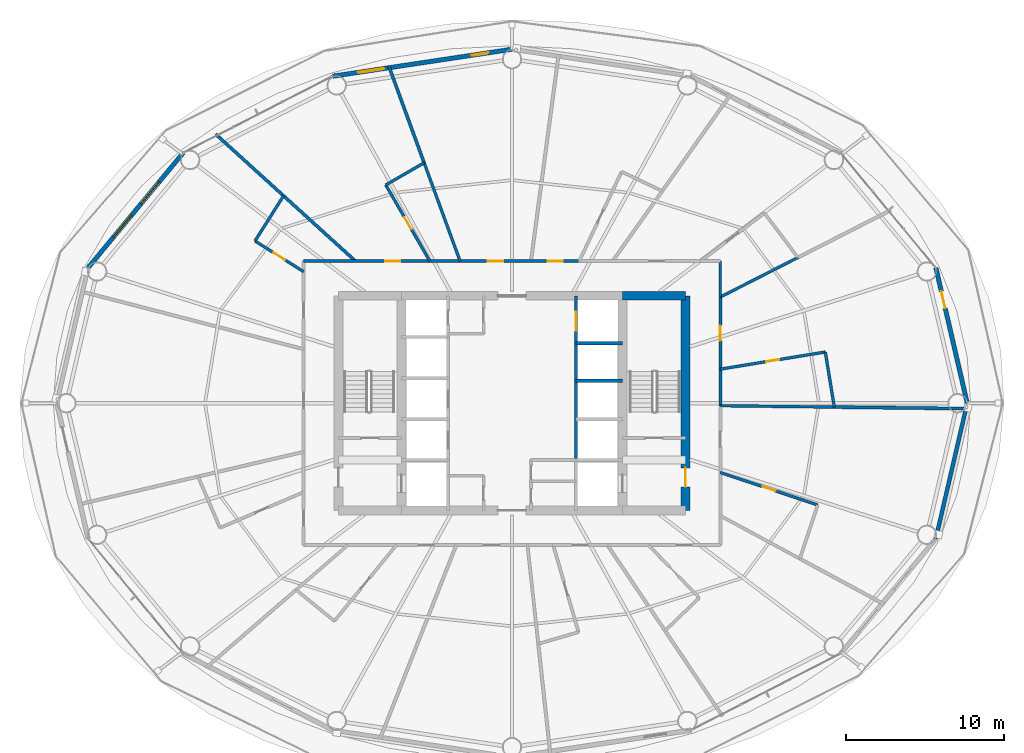
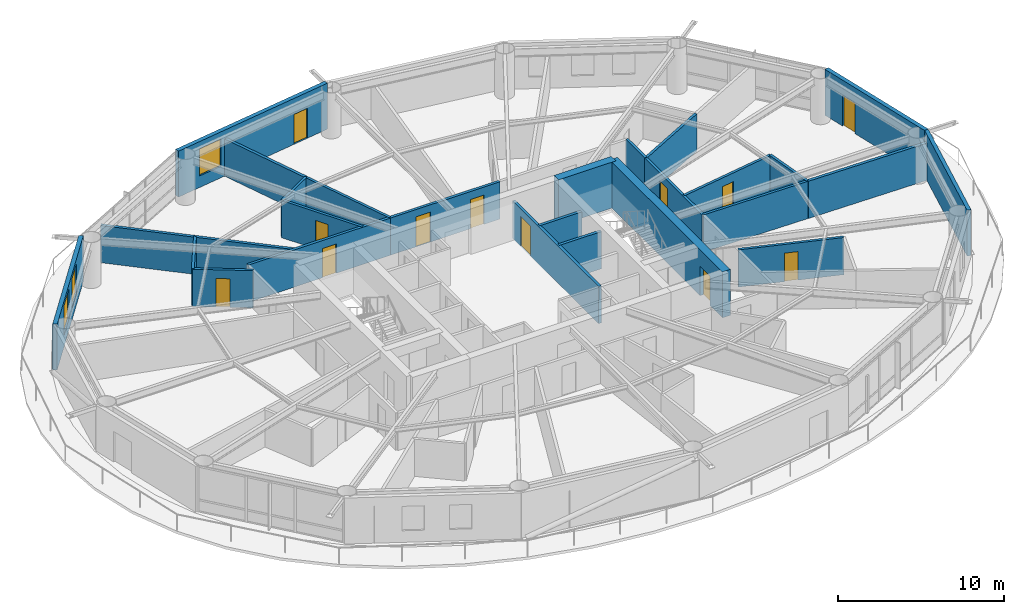
# One storey, part 20 of 24: 26 walls, 12 doors, 3 windows, 15 openings.
"""IFC4 building model written with IfcOpenShell, lengths in metres."""

from ifc_helpers import new_model, si_unit, direction, frame, frame_2d, origin, place, context, subcontext, project, spatial, rectangle, extrude, material, layer, layer_set, type_object, element, fill, save


model = new_model("IFC4")

# Units and contexts
model_context = context("Model", 3, precision=1e-05, world=origin(), true_north=direction((0.0, 1.0)))
body_context = subcontext(model_context, "Body", "Model", "MODEL_VIEW")
ifc_project = project(units=[si_unit("LENGTHUNIT", "METRE"), si_unit("AREAUNIT", "SQUARE_METRE"), si_unit("VOLUMEUNIT", "CUBIC_METRE"), si_unit("PLANEANGLEUNIT", "RADIAN"), si_unit("MASSUNIT", "GRAM", prefix="KILO")], contexts=[model_context])

# Site, building, storey
site_placement = place(None, origin())
site = spatial("IfcSite", under=ifc_project, at=site_placement, CompositionType="ELEMENT")
building_placement = place(site_placement, origin())
building = spatial("IfcBuilding", under=site, at=building_placement, Name="Sarneth Arch Tower", CompositionType="ELEMENT")
storey_placement = place(building_placement, frame((0.0, 0.0, 105.60009765625)))
storey = spatial("IfcBuildingStorey", under=building, at=storey_placement, Name="L26", CompositionType="ELEMENT", Elevation=105.60009765625)

# Wall
ifc_material_1 = material(Name="Concrete C60/75", Category="concrete")
ifc_layer_1 = layer(ifc_material_1, 0.550048828125)
ifc_layer_set_1 = layer_set([ifc_layer_1], Name="Concrete C60/75")
wall_type_1 = type_object("IfcWallType", Name="WALL-CORE-550", PredefinedType="SHEAR", material=ifc_layer_set_1)
wall_1_placement = place(storey_placement, frame((55.0, 48.800048828125, 0.0), z_axis=(0.0, 0.0, 1.0), x_axis=(1.0, 0.0, 0.0)))
element("IfcWall", 1, at=wall_1_placement, inside=storey, type_object=wall_type_1, Name="L26 Core shear wall N-E", PredefinedType="SHEAR", context=body_context, shape_type="SweptSolid", body=[
    extrude(rectangle(XDim=4.0, YDim=0.550048828125, at=frame_2d((2.0, 0.0))), origin(), (0.0, 0.0, 1.0), 3.3798828125),
])

# Wall, opening, door
wall_2_placement = place(storey_placement, frame((59.0, 35.199951171875, 0.0), z_axis=(0.0, 0.0, 1.0), x_axis=(0.0, 1.0, 0.0)))
wall_2 = element("IfcWall", 2, at=wall_2_placement, inside=storey, type_object=wall_type_1, Name="L26 Core shear wall E", PredefinedType="SHEAR", context=body_context, shape_type="SweptSolid", body=[
    extrude(rectangle(XDim=13.60009765625, YDim=0.550048828125, at=frame_2d((6.800048828125, 0.0))), origin(), (0.0, 0.0, 1.0), 3.3798828125),
])
opening_1_placement = place(wall_2_placement, frame((1.5, 0.0, 0.0)))
opening_1 = element("IfcOpeningElement", 3, at=opening_1_placement, cuts=wall_2, Name="Opening FD-02", PredefinedType="OPENING", context=body_context, shape_type="SweptSolid", body=[
    extrude(rectangle(XDim=1.199951171875, YDim=2.14990234375, at=frame_2d((0.60009765625, 1.074951171875))), frame((0.0, 0.284912109375, 0.0), z_axis=(0.0, -1.0, 0.0), x_axis=(1.0, 0.0, 0.0)), (0.0, 0.0, 1.0), 0.570068359375),
])
ifc_material_2 = material(Name="Galvanised Steel S275 fire door set", Category="steel")
door_type_1 = type_object("IfcDoorType", Name="DR-FD90-1200", OperationType="SINGLE_SWING_LEFT", PredefinedType="DOOR", material=ifc_material_2)
door_1_placement = place(opening_1_placement, origin())
door_1 = element("IfcDoor", 4, at=door_1_placement, inside=storey, type_object=door_type_1, Name="L26 Firefighting lobby 2 exit door", OperationType="SINGLE_SWING_RIGHT", OverallHeight=2.14990234375, OverallWidth=1.199951171875, PredefinedType="DOOR", context=body_context, shape_type="SweptSolid", body=[
    extrude(rectangle(XDim=1.199951171875, YDim=2.14990234375, at=frame_2d((0.60009765625, 1.074951171875))), frame((0.0, 0.02490234375, 0.0), z_axis=(0.0, -1.0, 0.0), x_axis=(1.0, 0.0, 0.0)), (0.0, 0.0, 1.0), 0.050048828125),
])
fill(opening_1, door_1)

ifc_material_3 = material(Name="Double steel-stud corridor fire wall", Category="steel")
ifc_layer_2 = layer(ifc_material_3, 0.18994140625)
ifc_layer_set_2 = layer_set([ifc_layer_2], Name="Double steel-stud corridor fire wall")
wall_type_2 = type_object("IfcWallType", Name="WALL-CORR-190", PredefinedType="PARTITIONING", material=ifc_layer_set_2)
wall_3_placement = place(storey_placement, frame((34.800048828125, 51.0, 0.0), z_axis=(0.0, 0.0, 1.0), x_axis=(1.0, 0.0, 0.0)))
wall_3 = element("IfcWall", 5, at=wall_3_placement, inside=storey, type_object=wall_type_2, Name="L26 Interior partition W-L26-TP-007", PredefinedType="PARTITIONING", context=body_context, shape_type="SweptSolid", body=[
    extrude(rectangle(XDim=9.944580078125, YDim=0.18994140625, at=frame_2d((4.97216796875, 0.0))), origin(), (0.0, 0.0, 1.0), 2.739990234375),
])
opening_2_placement = place(wall_3_placement, frame((5.159423828125, 0.0, 0.0)))
opening_2 = element("IfcOpeningElement", 6, at=opening_2_placement, cuts=wall_3, Name="Opening FD-09", PredefinedType="OPENING", context=body_context, shape_type="SweptSolid", body=[
    extrude(rectangle(XDim=0.949951171875, YDim=2.14990234375, at=frame_2d((0.47509765625, 1.074951171875))), frame((0.0, 0.10498046875, 0.0), z_axis=(0.0, -1.0, 0.0), x_axis=(1.0, 0.0, 0.0)), (0.0, 0.0, 1.0), 0.2099609375),
])
ifc_material_4 = material(Name="Hardwood timber hotel entrance fire door", Category="wood")
door_type_2 = type_object("IfcDoorType", Name="DR-FD60-950", OperationType="SINGLE_SWING_RIGHT", PredefinedType="DOOR", material=ifc_material_4)
door_2_placement = place(opening_2_placement, origin())
door_2 = element("IfcDoor", 7, at=door_2_placement, inside=storey, type_object=door_type_2, Name="L26 Interior door DR-L26-KEY-04", OperationType="SINGLE_SWING_LEFT", OverallHeight=2.14990234375, OverallWidth=0.949951171875, PredefinedType="DOOR", context=body_context, shape_type="SweptSolid", body=[
    extrude(rectangle(XDim=0.949951171875, YDim=2.14990234375, at=frame_2d((0.47509765625, 1.074951171875))), frame((0.0, 0.02490234375, 0.0), z_axis=(0.0, -1.0, 0.0), x_axis=(1.0, 0.0, 0.0)), (0.0, 0.0, 1.0), 0.050048828125),
])
fill(opening_2, door_2)

wall_4_placement = place(storey_placement, frame((61.199951171875, 41.80859375, 0.0), z_axis=(0.0, 0.0, 1.0), x_axis=(0.0, 1.0, 0.0)))
wall_4 = element("IfcWall", 8, at=wall_4_placement, inside=storey, type_object=wall_type_2, Name="L26 Interior partition W-L26-TP-026", PredefinedType="PARTITIONING", context=body_context, shape_type="SweptSolid", body=[
    extrude(rectangle(XDim=6.9169921875, YDim=0.18994140625, at=frame_2d((3.45849609375, 0.0))), origin(), (0.0, 0.0, 1.0), 2.739990234375),
])
opening_3_placement = place(wall_4_placement, frame((4.157470703125, 0.0, 0.0)))
opening_3 = element("IfcOpeningElement", 9, at=opening_3_placement, cuts=wall_4, Name="Opening FD-09", PredefinedType="OPENING", context=body_context, shape_type="SweptSolid", body=[
    extrude(rectangle(XDim=0.949951171875, YDim=2.14990234375, at=frame_2d((0.47509765625, 1.074951171875))), frame((0.0, 0.10498046875, 0.0), z_axis=(0.0, -1.0, 0.0), x_axis=(1.0, 0.0, 0.0)), (0.0, 0.0, 1.0), 0.2099609375),
])
door_3_placement = place(opening_3_placement, origin())
door_3 = element("IfcDoor", 10, at=door_3_placement, inside=storey, type_object=door_type_2, Name="L26 Interior door DR-L26-KEY-13", OperationType="SINGLE_SWING_RIGHT", OverallHeight=2.14990234375, OverallWidth=0.949951171875, PredefinedType="DOOR", context=body_context, shape_type="SweptSolid", body=[
    extrude(rectangle(XDim=0.949951171875, YDim=2.14990234375, at=frame_2d((0.47509765625, 1.074951171875))), frame((0.0, 0.02490234375, 0.0), z_axis=(0.0, -1.0, 0.0), x_axis=(1.0, 0.0, 0.0)), (0.0, 0.0, 1.0), 0.050048828125),
])
fill(opening_3, door_3)

# Wall, openings, doors
wall_5_placement = place(storey_placement, frame((44.676513671875, 51.0, 0.0), z_axis=(0.0, 0.0, 1.0), x_axis=(1.0, 0.0, 0.0)))
wall_5 = element("IfcWall", 11, at=wall_5_placement, inside=storey, type_object=wall_type_2, Name="L26 Interior partition W-L26-TP-006", PredefinedType="PARTITIONING", context=body_context, shape_type="SweptSolid", body=[
    extrude(rectangle(XDim=7.62060546875, YDim=0.18994140625, at=frame_2d((3.810302734375, 0.0))), origin(), (0.0, 0.0, 1.0), 2.739990234375),
])
opening_4_placement = place(wall_5_placement, frame((1.779541015625, 0.0, 0.0)))
opening_4 = element("IfcOpeningElement", 12, at=opening_4_placement, cuts=wall_5, Name="Opening FD-08", PredefinedType="OPENING", context=body_context, shape_type="SweptSolid", body=[
    extrude(rectangle(XDim=1.0, YDim=2.199951171875, at=frame_2d((0.5, 1.10009765625))), frame((0.0, 0.10498046875, 0.0), z_axis=(0.0, -1.0, 0.0), x_axis=(1.0, 0.0, 0.0)), (0.0, 0.0, 1.0), 0.2099609375),
])
opening_5_placement = place(wall_5_placement, frame((5.58251953125, 0.0, 0.0)))
opening_5 = element("IfcOpeningElement", 13, at=opening_5_placement, cuts=wall_5, Name="Opening FD-09", PredefinedType="OPENING", context=body_context, shape_type="SweptSolid", body=[
    extrude(rectangle(XDim=0.949951171875, YDim=2.14990234375, at=frame_2d((0.47509765625, 1.074951171875))), frame((0.0, 0.10498046875, 0.0), z_axis=(0.0, -1.0, 0.0), x_axis=(1.0, 0.0, 0.0)), (0.0, 0.0, 1.0), 0.2099609375),
])
ifc_material_5 = material(Name="Hardwood timber acoustic fire door", Category="wood")
door_type_3 = type_object("IfcDoorType", Name="DR-FD60-1000", OperationType="SINGLE_SWING_LEFT", PredefinedType="DOOR", material=ifc_material_5)
door_4_placement = place(opening_4_placement, origin())
door_4 = element("IfcDoor", 14, at=door_4_placement, inside=storey, type_object=door_type_3, Name="L26 Interior door DR-L26-AMN-03", OperationType="SINGLE_SWING_RIGHT", OverallHeight=2.199951171875, OverallWidth=1.0, PredefinedType="DOOR", context=body_context, shape_type="SweptSolid", body=[
    extrude(rectangle(XDim=1.0, YDim=2.199951171875, at=frame_2d((0.5, 1.10009765625))), frame((0.0, 0.02490234375, 0.0), z_axis=(0.0, -1.0, 0.0), x_axis=(1.0, 0.0, 0.0)), (0.0, 0.0, 1.0), 0.050048828125),
])
fill(opening_4, door_4)
door_5_placement = place(opening_5_placement, origin())
door_5 = element("IfcDoor", 15, at=door_5_placement, inside=storey, type_object=door_type_2, Name="L26 Interior door DR-L26-KEY-02", OperationType="SINGLE_SWING_RIGHT", OverallHeight=2.14990234375, OverallWidth=0.949951171875, PredefinedType="DOOR", context=body_context, shape_type="SweptSolid", body=[
    extrude(rectangle(XDim=0.949951171875, YDim=2.14990234375, at=frame_2d((0.47509765625, 1.074951171875))), frame((0.0, 0.02490234375, 0.0), z_axis=(0.0, -1.0, 0.0), x_axis=(1.0, 0.0, 0.0)), (0.0, 0.0, 1.0), 0.050048828125),
])
fill(opening_5, door_5)

# Wall
ifc_material_6 = material(Name="Extruded terracotta rainscreen on Concrete C40/50 backing", Category="masonry")
ifc_layer_3 = layer(ifc_material_6, 0.25)
ifc_layer_set_3 = layer_set([ifc_layer_3], Name="Extruded terracotta rainscreen on Concrete C40/50 backing")
wall_type_3 = type_object("IfcWallType", Name="WALL-EXT-SPAND-250", PredefinedType="SOLIDWALL", material=ifc_layer_set_3)
wall_6_placement = place(storey_placement, frame((74.861328125, 33.41650390625, 0.0), z_axis=(0.0, 0.0, 1.0), x_axis=(0.22558597182, 0.974223264616, 0.0)))
element("IfcWall", 16, at=wall_6_placement, inside=storey, type_object=wall_type_3, Name="L26 Terracotta perimeter wall 16", PredefinedType="SOLIDWALL", context=body_context, shape_type="SweptSolid", body=[
    extrude(rectangle(XDim=8.810546875, YDim=0.25, at=frame_2d((4.4052734375, 0.0))), origin(), (0.0, 0.0, 1.0), 3.3798828125),
])

# Wall, opening, door
ifc_material_7 = material(Name="Extruded terracotta rainscreen on Concrete C40/50 backing", Category="masonry")
ifc_layer_4 = layer(ifc_material_7, 0.280029296875)
ifc_layer_set_4 = layer_set([ifc_layer_4], Name="Extruded terracotta rainscreen on Concrete C40/50 backing")
wall_type_4 = type_object("IfcWallType", Name="WALL-EXT-TERRA-280", PredefinedType="SOLIDWALL", material=ifc_layer_set_4)
wall_7_placement = place(storey_placement, frame((76.848876953125, 42.0, 0.0), z_axis=(0.0, 0.0, 1.0), x_axis=(-0.22558597182, 0.974223264616, 0.0)))
wall_7 = element("IfcWall", 17, at=wall_7_placement, inside=storey, type_object=wall_type_4, Name="L26 Terracotta perimeter wall 01", PredefinedType="SOLIDWALL", context=body_context, shape_type="SweptSolid", body=[
    extrude(rectangle(XDim=8.810546875, YDim=0.280029296875, at=frame_2d((4.4052734375, 0.0))), origin(), (0.0, 0.0, 1.0), 3.3798828125),
])
opening_6_placement = place(wall_7_placement, frame((6.174560546875, 0.0, 0.0)))
opening_6 = element("IfcOpeningElement", 18, at=opening_6_placement, cuts=wall_7, Name="Opening BD-3", PredefinedType="OPENING", context=body_context, shape_type="SweptSolid", body=[
    extrude(rectangle(XDim=1.10009765625, YDim=2.25, at=frame_2d((0.550048828125, 1.125))), frame((0.0, 0.14990234375, 0.0), z_axis=(0.0, -1.0, 0.0), x_axis=(1.0, 0.0, 0.0)), (0.0, 0.0, 1.0), 0.300048828125),
])
ifc_material_8 = material(Name="Thermally broken Aluminium 6063-T6 and laminated safety glass", Category="aluminium")
door_type_4 = type_object("IfcDoorType", Name="DR-BALC-GLZ-1100", OperationType="SINGLE_SWING_LEFT", PredefinedType="DOOR", material=ifc_material_8)
door_6_placement = place(opening_6_placement, origin())
door_6 = element("IfcDoor", 19, at=door_6_placement, inside=storey, type_object=door_type_4, Name="L26 Balcony glazed door 01", OperationType="SINGLE_SWING_LEFT", OverallHeight=2.25, OverallWidth=1.10009765625, PredefinedType="DOOR", context=body_context, shape_type="SweptSolid", body=[
    extrude(rectangle(XDim=1.10009765625, YDim=2.25, at=frame_2d((0.550048828125, 1.125))), frame((0.0, 0.02490234375, 0.0), z_axis=(0.0, -1.0, 0.0), x_axis=(1.0, 0.0, 0.0)), (0.0, 0.0, 1.0), 0.050048828125),
])
fill(opening_6, door_6)

# Wall, openings, door, window
wall_8_placement = place(storey_placement, frame((48.0, 64.429931640625, 0.0), z_axis=(0.0, 0.0, 1.0), x_axis=(-0.988877774656, -0.148730450117, 0.0)))
wall_8 = element("IfcWall", 20, at=wall_8_placement, inside=storey, type_object=wall_type_4, Name="L26 Terracotta perimeter wall 05", PredefinedType="SOLIDWALL", context=body_context, shape_type="SweptSolid", body=[
    extrude(rectangle(XDim=11.47900390625, YDim=0.280029296875, at=frame_2d((5.739501953125, 0.0))), origin(), (0.0, 0.0, 1.0), 3.3798828125),
])
opening_7_placement = place(wall_8_placement, frame((1.523681640625, 0.0, 0.0)))
opening_7 = element("IfcOpeningElement", 21, at=opening_7_placement, cuts=wall_8, Name="Opening BD-4", PredefinedType="OPENING", context=body_context, shape_type="SweptSolid", body=[
    extrude(rectangle(XDim=1.050048828125, YDim=2.199951171875, at=frame_2d((0.52490234375, 1.10009765625))), frame((0.0, 0.14990234375, 0.0), z_axis=(0.0, -1.0, 0.0), x_axis=(1.0, 0.0, 0.0)), (0.0, 0.0, 1.0), 0.300048828125),
])
opening_8_placement = place(wall_8_placement, frame((8.20458984375, 0.0, 0.85009765625)))
opening_8 = element("IfcOpeningElement", 22, at=opening_8_placement, cuts=wall_8, Name="Opening W-05", PredefinedType="OPENING", context=body_context, shape_type="SweptSolid", body=[
    extrude(rectangle(XDim=1.64990234375, YDim=2.0, at=frame_2d((0.824951171875, 1.0))), frame((0.0, 0.14990234375, 0.0), z_axis=(0.0, -1.0, 0.0), x_axis=(1.0, 0.0, 0.0)), (0.0, 0.0, 1.0), 0.300048828125),
])
ifc_material_9 = material(Name="Thermally broken Aluminium 6063-T6 and laminated safety glass", Category="aluminium")
door_type_5 = type_object("IfcDoorType", Name="DR-BALC-GLZ-1050", OperationType="SINGLE_SWING_RIGHT", PredefinedType="DOOR", material=ifc_material_9)
door_7_placement = place(opening_7_placement, origin())
door_7 = element("IfcDoor", 23, at=door_7_placement, inside=storey, type_object=door_type_5, Name="L26 Balcony glazed door 05", OperationType="SINGLE_SWING_RIGHT", OverallHeight=2.199951171875, OverallWidth=1.050048828125, PredefinedType="DOOR", context=body_context, shape_type="SweptSolid", body=[
    extrude(rectangle(XDim=1.050048828125, YDim=2.199951171875, at=frame_2d((0.52490234375, 1.10009765625))), frame((0.0, 0.02490234375, 0.0), z_axis=(0.0, -1.0, 0.0), x_axis=(1.0, 0.0, 0.0)), (0.0, 0.0, 1.0), 0.050048828125),
])
fill(opening_7, door_7)
ifc_material_10 = material(Name="Thermally broken Aluminium 6063-T6 and low-e laminated IGU", Category="aluminium")
window_type_1 = type_object("IfcWindowType", Name="WIN-TWR-1650x2000", PartitioningType="DOUBLE_PANEL_VERTICAL", PredefinedType="WINDOW", material=ifc_material_10)
window_1_placement = place(opening_8_placement, origin())
window_1 = element("IfcWindow", 24, at=window_1_placement, inside=storey, type_object=window_type_1, Name="L26 Exterior window 05A", OverallHeight=2.0, OverallWidth=1.64990234375, PartitioningType="SINGLE_PANEL", PredefinedType="WINDOW", context=body_context, shape_type="SweptSolid", body=[
    extrude(rectangle(XDim=1.64990234375, YDim=2.0, at=frame_2d((0.824951171875, 1.0))), frame((0.0, 0.030029296875, 0.0), z_axis=(0.0, -1.0, 0.0), x_axis=(1.0, 0.0, 0.0)), (0.0, 0.0, 1.0), 0.06005859375),
])
fill(opening_8, window_1)

# Wall, openings, windows
wall_9_placement = place(storey_placement, frame((27.159912109375, 57.8603515625, 0.0), z_axis=(0.0, 0.0, 1.0), x_axis=(-0.637505817448, -0.770445541696, 0.0)))
wall_9 = element("IfcWall", 25, at=wall_9_placement, inside=storey, type_object=wall_type_4, Name="L26 Terracotta perimeter wall 07", PredefinedType="SOLIDWALL", context=body_context, shape_type="SweptSolid", body=[
    extrude(rectangle(XDim=9.445068359375, YDim=0.280029296875, at=frame_2d((4.72265625, 0.0))), origin(), (0.0, 0.0, 1.0), 3.3798828125),
])
opening_9_placement = place(wall_9_placement, frame((2.396484375, 0.0, 0.85009765625)))
opening_9 = element("IfcOpeningElement", 26, at=opening_9_placement, cuts=wall_9, Name="Opening W-04", PredefinedType="OPENING", context=body_context, shape_type="SweptSolid", body=[
    extrude(rectangle(XDim=1.800048828125, YDim=2.199951171875, at=frame_2d((0.89990234375, 1.10009765625))), frame((0.0, 0.14990234375, 0.0), z_axis=(0.0, -1.0, 0.0), x_axis=(1.0, 0.0, 0.0)), (0.0, 0.0, 1.0), 0.300048828125),
])
opening_10_placement = place(wall_9_placement, frame((5.1318359375, 0.0, 0.85009765625)))
opening_10 = element("IfcOpeningElement", 27, at=opening_10_placement, cuts=wall_9, Name="Opening W-04", PredefinedType="OPENING", context=body_context, shape_type="SweptSolid", body=[
    extrude(rectangle(XDim=1.800048828125, YDim=2.199951171875, at=frame_2d((0.89990234375, 1.10009765625))), frame((0.0, 0.14990234375, 0.0), z_axis=(0.0, -1.0, 0.0), x_axis=(1.0, 0.0, 0.0)), (0.0, 0.0, 1.0), 0.300048828125),
])
ifc_material_11 = material(Name="Thermally broken Aluminium 6063-T6 and low-e laminated IGU", Category="aluminium")
window_type_2 = type_object("IfcWindowType", Name="WIN-TWR-1800x2200", PartitioningType="DOUBLE_PANEL_VERTICAL", PredefinedType="WINDOW", material=ifc_material_11)
window_2_placement = place(opening_9_placement, origin())
window_2 = element("IfcWindow", 28, at=window_2_placement, inside=storey, type_object=window_type_2, Name="L26 Exterior window 07A", OverallHeight=2.199951171875, OverallWidth=1.800048828125, PartitioningType="SINGLE_PANEL", PredefinedType="WINDOW", context=body_context, shape_type="SweptSolid", body=[
    extrude(rectangle(XDim=1.800048828125, YDim=2.199951171875, at=frame_2d((0.89990234375, 1.10009765625))), frame((0.0, 0.030029296875, 0.0), z_axis=(0.0, -1.0, 0.0), x_axis=(1.0, 0.0, 0.0)), (0.0, 0.0, 1.0), 0.06005859375),
])
fill(opening_9, window_2)
window_3_placement = place(opening_10_placement, origin())
window_3 = element("IfcWindow", 29, at=window_3_placement, inside=storey, type_object=window_type_2, Name="L26 Exterior window 07B", OverallHeight=2.199951171875, OverallWidth=1.800048828125, PartitioningType="SINGLE_PANEL", PredefinedType="WINDOW", context=body_context, shape_type="SweptSolid", body=[
    extrude(rectangle(XDim=1.800048828125, YDim=2.199951171875, at=frame_2d((0.89990234375, 1.10009765625))), frame((0.0, 0.030029296875, 0.0), z_axis=(0.0, -1.0, 0.0), x_axis=(1.0, 0.0, 0.0)), (0.0, 0.0, 1.0), 0.06005859375),
])
fill(opening_10, window_3)

# Wall
ifc_material_12 = material(Name="Moisture-resistant plumbing chase wall", Category="gypsum")
ifc_layer_5 = layer(ifc_material_12, 0.179931640625)
ifc_layer_set_5 = layer_set([ifc_layer_5], Name="Moisture-resistant plumbing chase wall")
wall_type_5 = type_object("IfcWallType", Name="WALL-PLUMB-180", PredefinedType="PLUMBINGWALL", material=ifc_layer_set_5)
wall_10_placement = place(storey_placement, frame((68.4248046875, 41.753173828125, 0.0), z_axis=(0.0, 0.0, 1.0), x_axis=(-0.999926833816, 0.012096570355, 0.0)))
element("IfcWall", 30, at=wall_10_placement, inside=storey, type_object=wall_type_5, Name="L26 Interior partition W-L26-TP-068", PredefinedType="PLUMBINGWALL", context=body_context, shape_type="SweptSolid", body=[
    extrude(rectangle(XDim=7.225341796875, YDim=0.179931640625, at=frame_2d((3.61279296875, 0.0))), origin(), (0.0, 0.0, 1.0), 2.739990234375),
])

# Wall, opening, door
wall_11_placement = place(storey_placement, frame((61.199951171875, 44.156005859375, 0.0), z_axis=(0.0, 0.0, 1.0), x_axis=(0.986917247844, 0.161227621419, 0.0)))
wall_11 = element("IfcWall", 31, at=wall_11_placement, inside=storey, type_object=wall_type_5, Name="L26 Interior partition W-L26-TP-069", PredefinedType="PLUMBINGWALL", context=body_context, shape_type="SweptSolid", body=[
    extrude(rectangle(XDim=6.742919921875, YDim=0.179931640625, at=frame_2d((3.37158203125, 0.0))), origin(), (0.0, 0.0, 1.0), 2.739990234375),
])
opening_11_placement = place(wall_11_placement, frame((2.9462890625, 0.0, 0.0)))
opening_11 = element("IfcOpeningElement", 32, at=opening_11_placement, cuts=wall_11, Name="Opening ID-02", PredefinedType="OPENING", context=body_context, shape_type="SweptSolid", body=[
    extrude(rectangle(XDim=0.85009765625, YDim=2.10009765625, at=frame_2d((0.425048828125, 1.050048828125))), frame((0.0, 0.099853515625, 0.0), z_axis=(0.0, -1.0, 0.0), x_axis=(1.0, 0.0, 0.0)), (0.0, 0.0, 1.0), 0.199951171875),
])
ifc_material_13 = material(Name="Moisture-resistant bathroom timber door", Category="wood")
door_type_6 = type_object("IfcDoorType", Name="DR-INT-850", OperationType="SINGLE_SWING_RIGHT", PredefinedType="DOOR", material=ifc_material_13)
door_8_placement = place(opening_11_placement, origin())
door_8 = element("IfcDoor", 33, at=door_8_placement, inside=storey, type_object=door_type_6, Name="L26 Interior door DR-L26-ENS-13", OperationType="SINGLE_SWING_LEFT", OverallHeight=2.10009765625, OverallWidth=0.85009765625, PredefinedType="DOOR", context=body_context, shape_type="SweptSolid", body=[
    extrude(rectangle(XDim=0.85009765625, YDim=2.10009765625, at=frame_2d((0.425048828125, 1.050048828125))), frame((0.0, 0.02490234375, 0.0), z_axis=(0.0, -1.0, 0.0), x_axis=(1.0, 0.0, 0.0)), (0.0, 0.0, 1.0), 0.050048828125),
])
fill(opening_11, door_8)

# Wall
wall_12_placement = place(storey_placement, frame((42.431884765625, 57.234375, 0.0), z_axis=(0.0, 0.0, 1.0), x_axis=(0.343307767445, -0.939222964376, 0.0)))
element("IfcWall", 34, at=wall_12_placement, inside=storey, type_object=wall_type_5, Name="L26 Interior partition W-L26-TP-038", PredefinedType="PLUMBINGWALL", context=body_context, shape_type="SweptSolid", body=[
    extrude(rectangle(XDim=6.6376953125, YDim=0.179931640625, at=frame_2d((3.31884765625, 0.0))), origin(), (0.0, 0.0, 1.0), 2.739990234375),
])

# Wall, opening, door
wall_13_placement = place(storey_placement, frame((61.199951171875, 37.60498046875, 0.0), z_axis=(0.0, 0.0, 1.0), x_axis=(0.948788249983, -0.315912735884, 0.0)))
wall_13 = element("IfcWall", 35, at=wall_13_placement, inside=storey, type_object=wall_type_5, Name="L26 Interior partition W-L26-TP-065", PredefinedType="PLUMBINGWALL", context=body_context, shape_type="SweptSolid", body=[
    extrude(rectangle(XDim=6.51025390625, YDim=0.179931640625, at=frame_2d((3.255126953125, 0.0))), origin(), (0.0, 0.0, 1.0), 2.739990234375),
])
opening_12_placement = place(wall_13_placement, frame((2.830078125, 0.0, 0.0)))
opening_12 = element("IfcOpeningElement", 36, at=opening_12_placement, cuts=wall_13, Name="Opening ID-02", PredefinedType="OPENING", context=body_context, shape_type="SweptSolid", body=[
    extrude(rectangle(XDim=0.85009765625, YDim=2.10009765625, at=frame_2d((0.425048828125, 1.050048828125))), frame((0.0, 0.099853515625, 0.0), z_axis=(0.0, -1.0, 0.0), x_axis=(1.0, 0.0, 0.0)), (0.0, 0.0, 1.0), 0.199951171875),
])
door_9_placement = place(opening_12_placement, origin())
door_9 = element("IfcDoor", 37, at=door_9_placement, inside=storey, type_object=door_type_6, Name="L26 Interior door DR-L26-ENS-12", OperationType="SINGLE_SWING_LEFT", OverallHeight=2.10009765625, OverallWidth=0.85009765625, PredefinedType="DOOR", context=body_context, shape_type="SweptSolid", body=[
    extrude(rectangle(XDim=0.85009765625, YDim=2.10009765625, at=frame_2d((0.425048828125, 1.050048828125))), frame((0.0, 0.02490234375, 0.0), z_axis=(0.0, -1.0, 0.0), x_axis=(1.0, 0.0, 0.0)), (0.0, 0.0, 1.0), 0.050048828125),
])
fill(opening_12, door_9)

wall_14_placement = place(storey_placement, frame((42.794189453125, 51.0, 0.0), z_axis=(0.0, 0.0, 1.0), x_axis=(-0.500713600684, 0.865613014049, 0.0)))
wall_14 = element("IfcWall", 38, at=wall_14_placement, inside=storey, type_object=wall_type_5, Name="L26 Interior partition W-L26-TP-039", PredefinedType="PLUMBINGWALL", context=body_context, shape_type="SweptSolid", body=[
    extrude(rectangle(XDim=5.577880859375, YDim=0.179931640625, at=frame_2d((2.7890625, 0.0))), origin(), (0.0, 0.0, 1.0), 2.739990234375),
])
opening_13_placement = place(wall_14_placement, frame((2.364013671875, 0.0, 0.0)))
opening_13 = element("IfcOpeningElement", 39, at=opening_13_placement, cuts=wall_14, Name="Opening ID-02", PredefinedType="OPENING", context=body_context, shape_type="SweptSolid", body=[
    extrude(rectangle(XDim=0.85009765625, YDim=2.10009765625, at=frame_2d((0.425048828125, 1.050048828125))), frame((0.0, 0.099853515625, 0.0), z_axis=(0.0, -1.0, 0.0), x_axis=(1.0, 0.0, 0.0)), (0.0, 0.0, 1.0), 0.199951171875),
])
door_10_placement = place(opening_13_placement, origin())
door_10 = element("IfcDoor", 40, at=door_10_placement, inside=storey, type_object=door_type_6, Name="L26 Interior door DR-L26-ENS-04", OperationType="SINGLE_SWING_LEFT", OverallHeight=2.10009765625, OverallWidth=0.85009765625, PredefinedType="DOOR", context=body_context, shape_type="SweptSolid", body=[
    extrude(rectangle(XDim=0.85009765625, YDim=2.10009765625, at=frame_2d((0.425048828125, 1.050048828125))), frame((0.0, 0.02490234375, 0.0), z_axis=(0.0, -1.0, 0.0), x_axis=(1.0, 0.0, 0.0)), (0.0, 0.0, 1.0), 0.050048828125),
])
fill(opening_13, door_10)

# Wall
wall_15_placement = place(storey_placement, frame((66.117919921875, 51.2314453125, 0.0), z_axis=(0.0, 0.0, 1.0), x_axis=(-0.891004388837, -0.453994690579, 0.0)))
element("IfcWall", 41, at=wall_15_placement, inside=storey, type_object=wall_type_5, Name="L26 Interior partition W-L26-TP-033", PredefinedType="PLUMBINGWALL", context=body_context, shape_type="SweptSolid", body=[
    extrude(rectangle(XDim=5.51953125, YDim=0.179931640625, at=frame_2d((2.759765625, 0.0))), origin(), (0.0, 0.0, 1.0), 2.739990234375),
])

# Wall, opening, door
wall_16_placement = place(storey_placement, frame((31.71484375, 52.27978515625, 0.0), z_axis=(0.0, 0.0, 1.0), x_axis=(0.845617675202, -0.533789047645, 0.0)))
wall_16 = element("IfcWall", 42, at=wall_16_placement, inside=storey, type_object=wall_type_5, Name="L26 Interior partition W-L26-TP-044", PredefinedType="PLUMBINGWALL", context=body_context, shape_type="SweptSolid", body=[
    extrude(rectangle(XDim=3.6484375, YDim=0.179931640625, at=frame_2d((1.82421875, 0.0))), origin(), (0.0, 0.0, 1.0), 2.739990234375),
])
opening_14_placement = place(wall_16_placement, frame((1.399169921875, 0.0, 0.0)))
opening_14 = element("IfcOpeningElement", 43, at=opening_14_placement, cuts=wall_16, Name="Opening ID-02", PredefinedType="OPENING", context=body_context, shape_type="SweptSolid", body=[
    extrude(rectangle(XDim=0.85009765625, YDim=2.10009765625, at=frame_2d((0.425048828125, 1.050048828125))), frame((0.0, 0.099853515625, 0.0), z_axis=(0.0, -1.0, 0.0), x_axis=(1.0, 0.0, 0.0)), (0.0, 0.0, 1.0), 0.199951171875),
])
door_11_placement = place(opening_14_placement, origin())
door_11 = element("IfcDoor", 44, at=door_11_placement, inside=storey, type_object=door_type_6, Name="L26 Interior door DR-L26-ENS-05", OperationType="SINGLE_SWING_LEFT", OverallHeight=2.10009765625, OverallWidth=0.85009765625, PredefinedType="DOOR", context=body_context, shape_type="SweptSolid", body=[
    extrude(rectangle(XDim=0.85009765625, YDim=2.10009765625, at=frame_2d((0.425048828125, 1.050048828125))), frame((0.0, 0.02490234375, 0.0), z_axis=(0.0, -1.0, 0.0), x_axis=(1.0, 0.0, 0.0)), (0.0, 0.0, 1.0), 0.050048828125),
])
fill(opening_14, door_11)

# Walls
wall_17_placement = place(storey_placement, frame((67.854736328125, 45.2431640625, 0.0), z_axis=(0.0, 0.0, 1.0), x_axis=(0.161207379819, -0.986920554397, 0.0)))
element("IfcWall", 45, at=wall_17_placement, inside=storey, type_object=wall_type_5, Name="L26 Interior partition W-L26-TP-070", PredefinedType="PLUMBINGWALL", context=body_context, shape_type="SweptSolid", body=[
    extrude(rectangle(XDim=3.5361328125, YDim=0.179931640625, at=frame_2d((1.76806640625, 0.0))), origin(), (0.0, 0.0, 1.0), 2.739990234375),
])
wall_18_placement = place(storey_placement, frame((33.521728515625, 55.14208984375, 0.0), z_axis=(0.0, 0.0, 1.0), x_axis=(-0.533805735916, -0.845607140641, 0.0)))
element("IfcWall", 46, at=wall_18_placement, inside=storey, type_object=wall_type_5, Name="L26 Interior partition W-L26-TP-043", PredefinedType="PLUMBINGWALL", context=body_context, shape_type="SweptSolid", body=[
    extrude(rectangle(XDim=3.385009765625, YDim=0.179931640625, at=frame_2d((1.6923828125, 0.0))), origin(), (0.0, 0.0, 1.0), 2.739990234375),
])
wall_19_placement = place(storey_placement, frame((40.001220703125, 55.828369140625, 0.0), z_axis=(0.0, 0.0, 1.0), x_axis=(0.865614723212, 0.50071064594, 0.0)))
element("IfcWall", 47, at=wall_19_placement, inside=storey, type_object=wall_type_5, Name="L26 Interior partition W-L26-TP-040", PredefinedType="PLUMBINGWALL", context=body_context, shape_type="SweptSolid", body=[
    extrude(rectangle(XDim=2.80810546875, YDim=0.179931640625, at=frame_2d((1.404052734375, 0.0))), origin(), (0.0, 0.0, 1.0), 2.739990234375),
])
wall_20_placement = place(storey_placement, frame((61.199951171875, 48.7255859375, 0.0), z_axis=(0.0, 0.0, 1.0), x_axis=(0.0, 1.0, 0.0)))
element("IfcWall", 48, at=wall_20_placement, inside=storey, type_object=wall_type_5, Name="L26 Interior partition W-L26-TP-002", PredefinedType="PLUMBINGWALL", context=body_context, shape_type="SweptSolid", body=[
    extrude(rectangle(XDim=2.2744140625, YDim=0.179931640625, at=frame_2d((1.13720703125, 0.0))), origin(), (0.0, 0.0, 1.0), 2.739990234375),
])

# Wall, opening, door
ifc_material_14 = material(Name="Aerated concrete blockwork C25/30", Category="masonry")
ifc_layer_6 = layer(ifc_material_14, 0.199951171875)
ifc_layer_set_6 = layer_set([ifc_layer_6], Name="Aerated concrete blockwork C25/30")
wall_type_6 = type_object("IfcWallType", Name="WALL-SHAFT-200", PredefinedType="SOLIDWALL", material=ifc_layer_set_6)
wall_21_placement = place(storey_placement, frame((52.050048828125, 38.39990234375, 0.0), z_axis=(0.0, 0.0, 1.0), x_axis=(0.0, 1.0, 0.0)))
wall_21 = element("IfcWall", 49, at=wall_21_placement, inside=storey, type_object=wall_type_6, Name="L26 Interior partition W-L26-EASTBANK-FRONT", PredefinedType="SOLIDWALL", context=body_context, shape_type="SweptSolid", body=[
    extrude(rectangle(XDim=10.400146484375, YDim=0.199951171875, at=frame_2d((5.2001953125, 0.0))), origin(), (0.0, 0.0, 1.0), 2.739990234375),
])
opening_15_placement = place(wall_21_placement, frame((8.199951171875, 0.0, 0.0)))
opening_15 = element("IfcOpeningElement", 50, at=opening_15_placement, cuts=wall_21, Name="Opening LD-2", PredefinedType="OPENING", context=body_context, shape_type="SweptSolid", body=[
    extrude(rectangle(XDim=1.199951171875, YDim=2.199951171875, at=frame_2d((0.60009765625, 1.10009765625))), frame((0.0, 0.10986328125, 0.0), z_axis=(0.0, -1.0, 0.0), x_axis=(1.0, 0.0, 0.0)), (0.0, 0.0, 1.0), 0.219970703125),
])
ifc_material_15 = material(Name="Brushed Stainless Steel 304 service lift door", Category="steel")
door_type_7 = type_object("IfcDoorType", Name="DR-LIFT-SLIDE-1200", OperationType="SLIDING_TO_RIGHT", PredefinedType="DOOR", material=ifc_material_15)
door_12_placement = place(opening_15_placement, origin())
door_12 = element("IfcDoor", 51, at=door_12_placement, inside=storey, type_object=door_type_7, Name="L26 Lift landing door DR-L26-LD-SL1", OperationType="SLIDING_TO_RIGHT", OverallHeight=2.199951171875, OverallWidth=1.199951171875, PredefinedType="DOOR", context=body_context, shape_type="SweptSolid", body=[
    extrude(rectangle(XDim=1.199951171875, YDim=2.199951171875, at=frame_2d((0.60009765625, 1.10009765625))), frame((0.0, 0.02490234375, 0.0), z_axis=(0.0, -1.0, 0.0), x_axis=(1.0, 0.0, 0.0)), (0.0, 0.0, 1.0), 0.050048828125),
])
fill(opening_15, door_12)

# Walls
for number, where, z_axis, x_axis, name in (
    (52, (52.050048828125, 43.419921875, 0.0), (0.0, 0.0, 1.0), (1.0, 0.0, 0.0), "L26 Interior partition W-L26-EB-DIV-4342"),
    (53, (52.050048828125, 45.800048828125, 0.0), (0.0, 0.0, 1.0), (1.0, 0.0, 0.0), "L26 Interior partition W-L26-EB-DIV-4580"),
):
    element("IfcWall", number, at=place(storey_placement, frame(where, z_axis=z_axis, x_axis=x_axis)), inside=storey, type_object=wall_type_6, Name=name, PredefinedType="SOLIDWALL", context=body_context, shape_type="SweptSolid", body=[
        extrude(rectangle(XDim=2.949951171875, YDim=0.199951171875, at=frame_2d((1.47509765625, 0.0))), origin(), (0.0, 0.0, 1.0), 2.739990234375),
    ])
ifc_material_16 = material(Name="Double steel-stud acoustic drywall", Category="steel")
ifc_layer_7 = layer(ifc_material_16, 0.199951171875)
ifc_layer_set_7 = layer_set([ifc_layer_7], Name="Double steel-stud acoustic drywall")
wall_type_7 = type_object("IfcWallType", Name="WALL-UNIT-200", PredefinedType="PARTITIONING", material=ifc_layer_set_7)
wall_22_placement = place(storey_placement, frame((76.888427734375, 41.65087890625, 0.0), z_axis=(0.0, 0.0, 1.0), x_axis=(-0.9999269672, 0.012085539541, 0.0)))
element("IfcWall", 54, at=wall_22_placement, inside=storey, type_object=wall_type_7, Name="L26 Interior partition W-L26-TP-067", PredefinedType="PARTITIONING", context=body_context, shape_type="SweptSolid", body=[
    extrude(rectangle(XDim=8.46435546875, YDim=0.199951171875, at=frame_2d((4.232177734375, 0.0))), origin(), (0.0, 0.0, 1.0), 2.739990234375),
])
wall_23_placement = place(storey_placement, frame((40.18798828125, 63.373779296875, 0.0), z_axis=(0.0, 0.0, 1.0), x_axis=(0.343281030887, -0.939232736777, 0.0)))
element("IfcWall", 55, at=wall_23_placement, inside=storey, type_object=wall_type_7, Name="L26 Interior partition W-L26-TP-037", PredefinedType="PARTITIONING", context=body_context, shape_type="SweptSolid", body=[
    extrude(rectangle(XDim=6.53662109375, YDim=0.199951171875, at=frame_2d((3.268310546875, 0.0))), origin(), (0.0, 0.0, 1.0), 2.739990234375),
])
wall_24_placement = place(storey_placement, frame((38.085205078125, 51.0, 0.0), z_axis=(0.0, 0.0, 1.0), x_axis=(-0.74043922717, 0.672123315224, 0.0)))
element("IfcWall", 56, at=wall_24_placement, inside=storey, type_object=wall_type_7, Name="L26 Interior partition W-L26-TP-042", PredefinedType="PARTITIONING", context=body_context, shape_type="SweptSolid", body=[
    extrude(rectangle(XDim=11.96826171875, YDim=0.199951171875, at=frame_2d((5.984130859375, 0.0))), origin(), (0.0, 0.0, 1.0), 2.739990234375),
])

save(model, "model.ifc")
